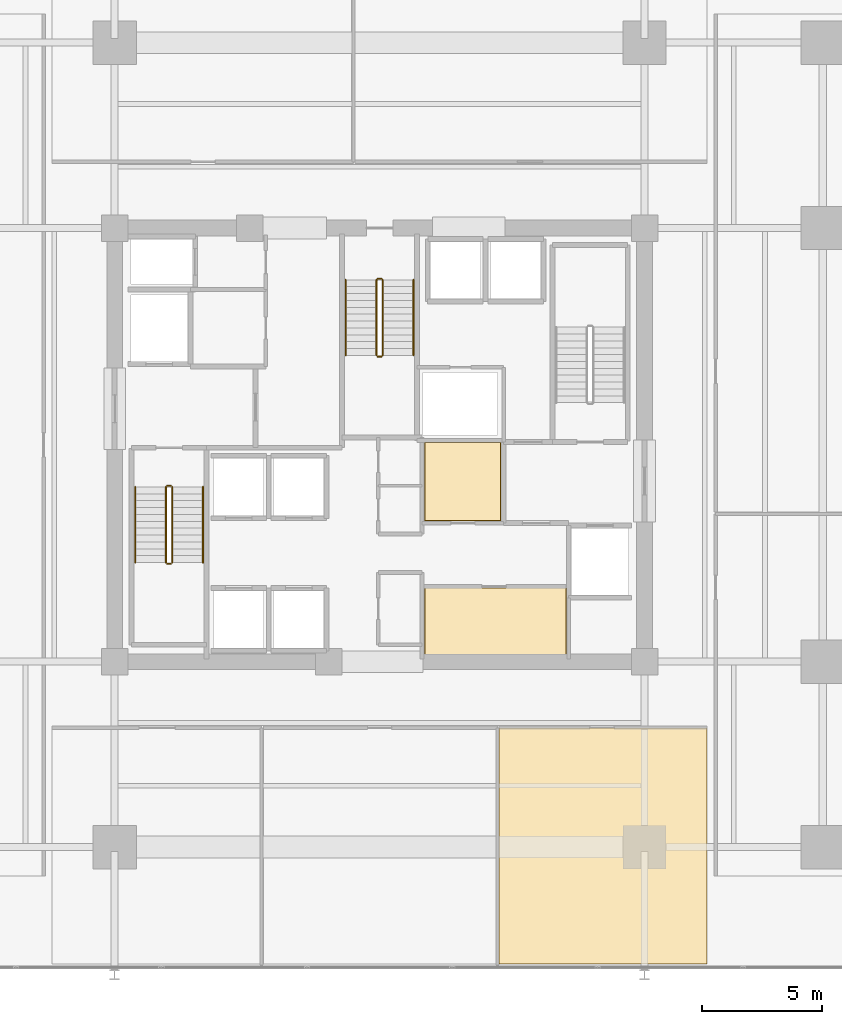
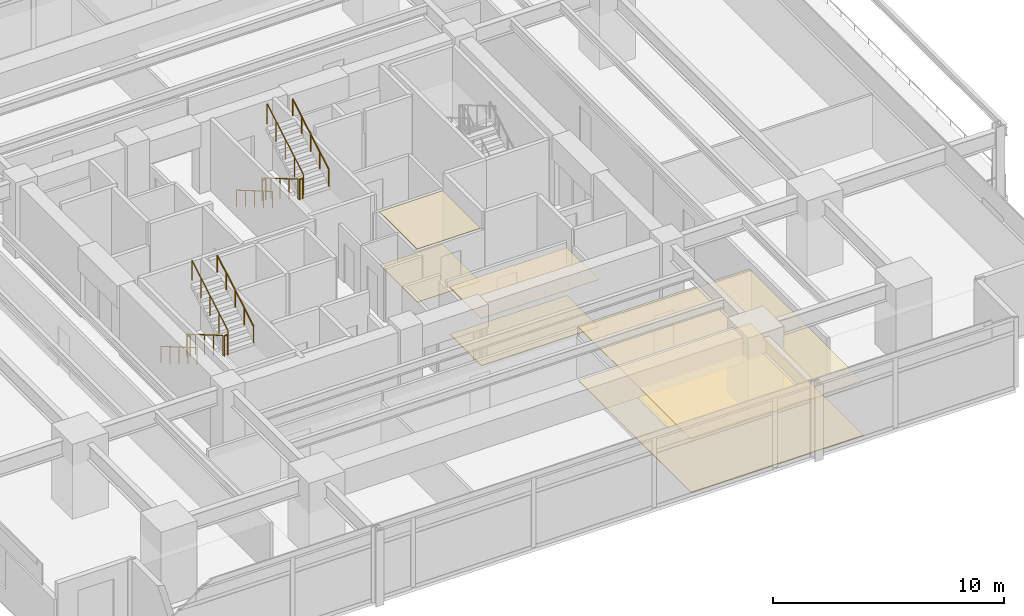
# One storey, part 19 of 21: 12 railings, 6 coverings.
"""IFC4 building model written with IfcOpenShell, lengths in metres."""

from ifc_helpers import new_model, si_unit, direction, frame, origin, origin_2d, place, context, subcontext, project, spatial, polyline, circle, outline, extrude, material, layer, layer_set, type_object, element, save


model = new_model("IFC4")

# Units and contexts
model_context = context("Model", 3, precision=1e-05, world=origin(), true_north=direction((0.0, 1.0)))
body_context = subcontext(model_context, "Body", "Model", "MODEL_VIEW")
ifc_project = project(units=[si_unit("LENGTHUNIT", "METRE"), si_unit("AREAUNIT", "SQUARE_METRE"), si_unit("VOLUMEUNIT", "CUBIC_METRE"), si_unit("PLANEANGLEUNIT", "RADIAN"), si_unit("MASSUNIT", "GRAM", prefix="KILO")], contexts=[model_context])

# Site, building, storey
site_placement = place(None, origin())
site = spatial("IfcSite", under=ifc_project, at=site_placement, CompositionType="ELEMENT")
building_placement = place(site_placement, origin())
building = spatial("IfcBuilding", under=site, at=building_placement, Name="Kovane Verandah Tower", CompositionType="ELEMENT")
storey_placement = place(building_placement, frame((0.0, 0.0, 31.60009765625)))
storey = spatial("IfcBuildingStorey", under=building, at=storey_placement, Name="L06", CompositionType="ELEMENT", Elevation=31.60009765625)

# Coverings
ifc_material_1 = material(Name="Perforated Acoustic Mineral-Fibre Ceiling Tile", Category="gypsum")
ifc_layer_1 = layer(ifc_material_1, 0.02490234375)
ifc_layer_set_1 = layer_set([ifc_layer_1], Name="Perforated Acoustic Mineral-Fibre Ceiling Tile")
covering_type_1 = type_object("IfcCoveringType", Name="CV-CEIL-25", PredefinedType="CEILING", material=ifc_layer_set_1)
covering_1_placement = place(storey_placement, frame((0.0, 0.0, 2.514892578125)))
element("IfcCovering", 1, at=covering_1_placement, inside=storey, type_object=covering_type_1, Name="L06 Records Vault Room Acoustic Ceiling", PredefinedType="CEILING", context=body_context, shape_type="SweptSolid", body=[
    extrude(outline(polyline([(41.864990234375, 18.784912109375), (47.764892578125, 18.784912109375), (47.764892578125, 21.56494140625), (41.864990234375, 21.56494140625), (41.864990234375, 18.784912109375)])), origin(), (0.0, 0.0, 1.0), 0.02490234375),
])
covering_2_placement = place(storey_placement, frame((0.0, 0.0, 2.824951171875)))
element("IfcCovering", 2, at=covering_2_placement, inside=storey, type_object=covering_type_1, Name="L06 Document Archive Room Acoustic Ceiling", PredefinedType="CEILING", context=body_context, shape_type="SweptSolid", body=[
    extrude(outline(polyline([(41.864990234375, 24.3349609375), (45.034912109375, 24.3349609375), (45.034912109375, 27.614990234375), (41.864990234375, 27.614990234375), (41.864990234375, 24.3349609375)])), origin(), (0.0, 0.0, 1.0), 0.02490234375),
])
covering_3_placement = place(storey_placement, frame((0.0, 0.0, 2.824951171875)))
element("IfcCovering", 3, at=covering_3_placement, inside=storey, type_object=covering_type_1, Name="L06 Focus Studio S3 Acoustic Ceiling", PredefinedType="CEILING", context=body_context, shape_type="SweptSolid", body=[
    extrude(outline(polyline([(44.966064453125, 5.955078125), (53.60009765625, 5.955078125), (53.60009765625, 15.75), (44.966064453125, 15.75), (44.966064453125, 5.955078125)])), origin(), (0.0, 0.0, 1.0), 0.02490234375),
])
ifc_material_2 = material(Name="Polished Terrazzo and Raised-Access Carpet Tile Finish", Category="concrete")
ifc_layer_2 = layer(ifc_material_2, 0.030029296875)
ifc_layer_set_2 = layer_set([ifc_layer_2], Name="Polished Terrazzo and Raised-Access Carpet Tile Finish")
covering_type_2 = type_object("IfcCoveringType", Name="CV-FLOR-30", PredefinedType="FLOORING", material=ifc_layer_set_2)
covering_4_placement = place(storey_placement, origin())
element("IfcCovering", 4, at=covering_4_placement, inside=storey, type_object=covering_type_2, Name="L06 Records Vault Room Floor Finish", PredefinedType="FLOORING", context=body_context, shape_type="SweptSolid", body=[
    extrude(outline(polyline([(41.8798828125, 18.800048828125), (47.75, 18.800048828125), (47.75, 21.550048828125), (41.8798828125, 21.550048828125), (41.8798828125, 18.800048828125)])), origin(), (0.0, 0.0, 1.0), 0.02978515625),
])
covering_5_placement = place(storey_placement, origin())
element("IfcCovering", 5, at=covering_5_placement, inside=storey, type_object=covering_type_2, Name="L06 Document Archive Room Floor Finish", PredefinedType="FLOORING", context=body_context, shape_type="SweptSolid", body=[
    extrude(outline(polyline([(41.8798828125, 24.35009765625), (45.02001953125, 24.35009765625), (45.02001953125, 27.60009765625), (41.8798828125, 27.60009765625), (41.8798828125, 24.35009765625)])), origin(), (0.0, 0.0, 1.0), 0.02978515625),
])
covering_6_placement = place(storey_placement, origin())
element("IfcCovering", 6, at=covering_6_placement, inside=storey, type_object=covering_type_2, Name="L06 Focus Studio S3 Floor Finish", PredefinedType="FLOORING", context=body_context, shape_type="SweptSolid", body=[
    extrude(outline(polyline([(44.966064453125, 5.955078125), (53.60009765625, 5.955078125), (53.60009765625, 15.75), (44.966064453125, 15.75), (44.966064453125, 5.955078125)])), origin(), (0.0, 0.0, 1.0), 0.02978515625),
])

# Railings
ifc_material_3 = material(Name="Brushed Stainless Steel Handrail", Category="steel")
railing_type_1 = type_object("IfcRailingType", Name="RL-HAND-920", PredefinedType="HANDRAIL", material=ifc_material_3)
railing_1_placement = place(storey_placement, frame((29.85009765625, 25.75, 0.16650390625)))
element("IfcRailing", 7, at=railing_1_placement, inside=storey, type_object=railing_type_1, Name="L06 ST-01 stair handrail 1", PredefinedType="HANDRAIL", context=body_context, shape_type="SweptSolid", body=[
    extrude(circle(Radius=0.02392578125, at=origin_2d()), frame((0.0, 0.0, 0.8759765625), z_axis=(0.0, -0.863210265497, 0.504844567704), x_axis=(1.0, 0.0, 0.0)), (0.0, 0.0, 1.0), 3.6318359375),
    extrude(circle(Radius=0.02099609375, at=origin_2d()), origin(), (0.0, 0.0, 1.0), 0.851806640625),
    extrude(circle(Radius=0.02099609375, at=origin_2d()), frame((0.0, -0.78369140625, 0.45849609375)), (0.0, 0.0, 1.0), 0.851806640625),
    extrude(circle(Radius=0.02099609375, at=origin_2d()), frame((0.0, -1.5673828125, 0.916748046875)), (0.0, 0.0, 1.0), 0.851806640625),
    extrude(circle(Radius=0.02099609375, at=origin_2d()), frame((0.0, -2.351318359375, 1.375)), (0.0, 0.0, 1.0), 0.851806640625),
    extrude(circle(Radius=0.02099609375, at=origin_2d()), frame((0.0, -3.135009765625, 1.83349609375)), (0.0, 0.0, 1.0), 0.851806640625),
])
railing_2_placement = place(storey_placement, frame((32.669921875, 22.614990234375, 2.16650390625)))
element("IfcRailing", 8, at=railing_2_placement, inside=storey, type_object=railing_type_1, Name="L06 ST-01 stair handrail 2", PredefinedType="HANDRAIL", context=body_context, shape_type="SweptSolid", body=[
    extrude(circle(Radius=0.02392578125, at=origin_2d()), frame((0.0, 0.0, 0.8759765625), z_axis=(0.0, 0.863210265497, 0.504844567704), x_axis=(-1.0, 0.0, 0.0)), (0.0, 0.0, 1.0), 3.6318359375),
    extrude(circle(Radius=0.02099609375, at=origin_2d()), origin(), (0.0, 0.0, 1.0), 0.851806640625),
    extrude(circle(Radius=0.02099609375, at=origin_2d()), frame((0.0, 0.78369140625, 0.45849609375)), (0.0, 0.0, 1.0), 0.851806640625),
    extrude(circle(Radius=0.02099609375, at=origin_2d()), frame((0.0, 1.5673828125, 0.916748046875)), (0.0, 0.0, 1.0), 0.851806640625),
    extrude(circle(Radius=0.02099609375, at=origin_2d()), frame((0.0, 2.351318359375, 1.375)), (0.0, 0.0, 1.0), 0.851806640625),
    extrude(circle(Radius=0.02099609375, at=origin_2d()), frame((0.0, 3.135009765625, 1.83349609375)), (0.0, 0.0, 1.0), 0.851806640625),
])
railing_3_placement = place(storey_placement, frame((38.590087890625, 34.35009765625, 0.16650390625)))
element("IfcRailing", 9, at=railing_3_placement, inside=storey, type_object=railing_type_1, Name="L06 ST-03 stair handrail 1", PredefinedType="HANDRAIL", context=body_context, shape_type="SweptSolid", body=[
    extrude(circle(Radius=0.02392578125, at=origin_2d()), frame((0.0, 0.0, 0.8759765625), z_axis=(0.0, -0.863210265497, 0.504844567704), x_axis=(1.0, 0.0, 0.0)), (0.0, 0.0, 1.0), 3.6318359375),
    extrude(circle(Radius=0.02099609375, at=origin_2d()), origin(), (0.0, 0.0, 1.0), 0.851806640625),
    extrude(circle(Radius=0.02099609375, at=origin_2d()), frame((0.0, -0.78369140625, 0.45849609375)), (0.0, 0.0, 1.0), 0.851806640625),
    extrude(circle(Radius=0.02099609375, at=origin_2d()), frame((0.0, -1.5673828125, 0.916748046875)), (0.0, 0.0, 1.0), 0.851806640625),
    extrude(circle(Radius=0.02099609375, at=origin_2d()), frame((0.0, -2.351318359375, 1.375)), (0.0, 0.0, 1.0), 0.851806640625),
    extrude(circle(Radius=0.02099609375, at=origin_2d()), frame((0.0, -3.135009765625, 1.83349609375)), (0.0, 0.0, 1.0), 0.851806640625),
])
railing_4_placement = place(storey_placement, frame((41.409912109375, 31.215087890625, 2.16650390625)))
element("IfcRailing", 10, at=railing_4_placement, inside=storey, type_object=railing_type_1, Name="L06 ST-03 stair handrail 2", PredefinedType="HANDRAIL", context=body_context, shape_type="SweptSolid", body=[
    extrude(circle(Radius=0.02392578125, at=origin_2d()), frame((0.0, 0.0, 0.8759765625), z_axis=(0.0, 0.863210265497, 0.504844567704), x_axis=(-1.0, 0.0, 0.0)), (0.0, 0.0, 1.0), 3.6318359375),
    extrude(circle(Radius=0.02099609375, at=origin_2d()), origin(), (0.0, 0.0, 1.0), 0.851806640625),
    extrude(circle(Radius=0.02099609375, at=origin_2d()), frame((0.0, 0.78369140625, 0.45849609375)), (0.0, 0.0, 1.0), 0.851806640625),
    extrude(circle(Radius=0.02099609375, at=origin_2d()), frame((0.0, 1.5673828125, 0.916748046875)), (0.0, 0.0, 1.0), 0.851806640625),
    extrude(circle(Radius=0.02099609375, at=origin_2d()), frame((0.0, 2.351318359375, 1.375)), (0.0, 0.0, 1.0), 0.851806640625),
    extrude(circle(Radius=0.02099609375, at=origin_2d()), frame((0.0, 3.135009765625, 1.83349609375)), (0.0, 0.0, 1.0), 0.851806640625),
])
ifc_material_4 = material(Name="Painted Steel Stairwell Guardrail", Category="steel")
railing_type_2 = type_object("IfcRailingType", Name="RL-STGUARD-1120", PredefinedType="GUARDRAIL", material=ifc_material_4)
railing_5_placement = place(storey_placement, frame((31.1298828125, 25.75, 0.16650390625)))
element("IfcRailing", 11, at=railing_5_placement, inside=storey, type_object=railing_type_2, Name="L06 ST-01 stair guard 1", PredefinedType="GUARDRAIL", context=body_context, shape_type="SweptSolid", body=[
    extrude(circle(Radius=0.02392578125, at=origin_2d()), frame((0.0, 0.0, 1.076171875), z_axis=(0.0, -0.863210265497, 0.504844567704), x_axis=(1.0, 0.0, 0.0)), (0.0, 0.0, 1.0), 3.6318359375),
    extrude(circle(Radius=0.02099609375, at=origin_2d()), origin(), (0.0, 0.0, 1.0), 1.052001953125),
    extrude(circle(Radius=0.02099609375, at=origin_2d()), frame((0.0, -0.78369140625, 0.45849609375)), (0.0, 0.0, 1.0), 1.052001953125),
    extrude(circle(Radius=0.02099609375, at=origin_2d()), frame((0.0, -1.5673828125, 0.916748046875)), (0.0, 0.0, 1.0), 1.052001953125),
    extrude(circle(Radius=0.02099609375, at=origin_2d()), frame((0.0, -2.351318359375, 1.375)), (0.0, 0.0, 1.0), 1.052001953125),
    extrude(circle(Radius=0.02099609375, at=origin_2d()), frame((0.0, -3.135009765625, 1.83349609375)), (0.0, 0.0, 1.0), 1.052001953125),
])
railing_6_placement = place(storey_placement, frame((31.179931640625, 22.56494140625, 2.0)))
element("IfcRailing", 12, at=railing_6_placement, inside=storey, type_object=railing_type_2, Name="L06 ST-01 stair guard 2", PredefinedType="GUARDRAIL", context=body_context, shape_type="SweptSolid", body=[
    extrude(circle(Radius=0.02392578125, at=origin_2d()), frame((0.0, 0.0, 1.076171875), z_axis=(1.0, 0.0, 0.0), x_axis=(0.0, 1.0, 0.0)), (0.0, 0.0, 1.0), 0.16015625),
    extrude(circle(Radius=0.02099609375, at=origin_2d()), origin(), (0.0, 0.0, 1.0), 1.052001953125),
    extrude(circle(Radius=0.02099609375, at=origin_2d()), frame((0.16015625, 0.0, 0.0)), (0.0, 0.0, 1.0), 1.052001953125),
])
railing_7_placement = place(storey_placement, frame((31.389892578125, 22.614990234375, 2.16650390625)))
element("IfcRailing", 13, at=railing_7_placement, inside=storey, type_object=railing_type_2, Name="L06 ST-01 stair guard 3", PredefinedType="GUARDRAIL", context=body_context, shape_type="SweptSolid", body=[
    extrude(circle(Radius=0.02392578125, at=origin_2d()), frame((0.0, 0.0, 1.076171875), z_axis=(0.0, 0.863210265497, 0.504844567704), x_axis=(-1.0, 0.0, 0.0)), (0.0, 0.0, 1.0), 3.6318359375),
    extrude(circle(Radius=0.02099609375, at=origin_2d()), origin(), (0.0, 0.0, 1.0), 1.052001953125),
    extrude(circle(Radius=0.02099609375, at=origin_2d()), frame((0.0, 0.78369140625, 0.45849609375)), (0.0, 0.0, 1.0), 1.052001953125),
    extrude(circle(Radius=0.02099609375, at=origin_2d()), frame((0.0, 1.5673828125, 0.916748046875)), (0.0, 0.0, 1.0), 1.052001953125),
    extrude(circle(Radius=0.02099609375, at=origin_2d()), frame((0.0, 2.351318359375, 1.375)), (0.0, 0.0, 1.0), 1.052001953125),
    extrude(circle(Radius=0.02099609375, at=origin_2d()), frame((0.0, 3.135009765625, 1.83349609375)), (0.0, 0.0, 1.0), 1.052001953125),
])
railing_8_placement = place(storey_placement, frame((31.179931640625, 25.800048828125, 0.0)))
element("IfcRailing", 14, at=railing_8_placement, inside=storey, type_object=railing_type_2, Name="L06 ST-01 stair guard 4", PredefinedType="GUARDRAIL", context=body_context, shape_type="SweptSolid", body=[
    extrude(circle(Radius=0.02392578125, at=origin_2d()), frame((0.0, 0.0, 1.076171875), z_axis=(1.0, 0.0, 0.0), x_axis=(0.0, 1.0, 0.0)), (0.0, 0.0, 1.0), 0.16015625),
    extrude(circle(Radius=0.02099609375, at=origin_2d()), origin(), (0.0, 0.0, 1.0), 1.052001953125),
    extrude(circle(Radius=0.02099609375, at=origin_2d()), frame((0.16015625, 0.0, 0.0)), (0.0, 0.0, 1.0), 1.052001953125),
])
railing_9_placement = place(storey_placement, frame((39.8701171875, 34.35009765625, 0.16650390625)))
element("IfcRailing", 15, at=railing_9_placement, inside=storey, type_object=railing_type_2, Name="L06 ST-03 stair guard 1", PredefinedType="GUARDRAIL", context=body_context, shape_type="SweptSolid", body=[
    extrude(circle(Radius=0.02392578125, at=origin_2d()), frame((0.0, 0.0, 1.076171875), z_axis=(0.0, -0.863210265497, 0.504844567704), x_axis=(1.0, 0.0, 0.0)), (0.0, 0.0, 1.0), 3.6318359375),
    extrude(circle(Radius=0.02099609375, at=origin_2d()), origin(), (0.0, 0.0, 1.0), 1.052001953125),
    extrude(circle(Radius=0.02099609375, at=origin_2d()), frame((0.0, -0.78369140625, 0.45849609375)), (0.0, 0.0, 1.0), 1.052001953125),
    extrude(circle(Radius=0.02099609375, at=origin_2d()), frame((0.0, -1.5673828125, 0.916748046875)), (0.0, 0.0, 1.0), 1.052001953125),
    extrude(circle(Radius=0.02099609375, at=origin_2d()), frame((0.0, -2.351318359375, 1.375)), (0.0, 0.0, 1.0), 1.052001953125),
    extrude(circle(Radius=0.02099609375, at=origin_2d()), frame((0.0, -3.135009765625, 1.83349609375)), (0.0, 0.0, 1.0), 1.052001953125),
])
railing_10_placement = place(storey_placement, frame((39.919921875, 31.1650390625, 2.0)))
element("IfcRailing", 16, at=railing_10_placement, inside=storey, type_object=railing_type_2, Name="L06 ST-03 stair guard 2", PredefinedType="GUARDRAIL", context=body_context, shape_type="SweptSolid", body=[
    extrude(circle(Radius=0.02392578125, at=origin_2d()), frame((0.0, 0.0, 1.076171875), z_axis=(1.0, 0.0, 0.0), x_axis=(0.0, 1.0, 0.0)), (0.0, 0.0, 1.0), 0.16015625),
    extrude(circle(Radius=0.02099609375, at=origin_2d()), origin(), (0.0, 0.0, 1.0), 1.052001953125),
    extrude(circle(Radius=0.02099609375, at=origin_2d()), frame((0.16015625, 0.0, 0.0)), (0.0, 0.0, 1.0), 1.052001953125),
])
railing_11_placement = place(storey_placement, frame((40.1298828125, 31.215087890625, 2.16650390625)))
element("IfcRailing", 17, at=railing_11_placement, inside=storey, type_object=railing_type_2, Name="L06 ST-03 stair guard 3", PredefinedType="GUARDRAIL", context=body_context, shape_type="SweptSolid", body=[
    extrude(circle(Radius=0.02392578125, at=origin_2d()), frame((0.0, 0.0, 1.076171875), z_axis=(0.0, 0.863210265497, 0.504844567704), x_axis=(-1.0, 0.0, 0.0)), (0.0, 0.0, 1.0), 3.6318359375),
    extrude(circle(Radius=0.02099609375, at=origin_2d()), origin(), (0.0, 0.0, 1.0), 1.052001953125),
    extrude(circle(Radius=0.02099609375, at=origin_2d()), frame((0.0, 0.78369140625, 0.45849609375)), (0.0, 0.0, 1.0), 1.052001953125),
    extrude(circle(Radius=0.02099609375, at=origin_2d()), frame((0.0, 1.5673828125, 0.916748046875)), (0.0, 0.0, 1.0), 1.052001953125),
    extrude(circle(Radius=0.02099609375, at=origin_2d()), frame((0.0, 2.351318359375, 1.375)), (0.0, 0.0, 1.0), 1.052001953125),
    extrude(circle(Radius=0.02099609375, at=origin_2d()), frame((0.0, 3.135009765625, 1.83349609375)), (0.0, 0.0, 1.0), 1.052001953125),
])
railing_12_placement = place(storey_placement, frame((39.919921875, 34.39990234375, 0.0)))
element("IfcRailing", 18, at=railing_12_placement, inside=storey, type_object=railing_type_2, Name="L06 ST-03 stair guard 4", PredefinedType="GUARDRAIL", context=body_context, shape_type="SweptSolid", body=[
    extrude(circle(Radius=0.02392578125, at=origin_2d()), frame((0.0, 0.0, 1.076171875), z_axis=(1.0, 0.0, 0.0), x_axis=(0.0, 1.0, 0.0)), (0.0, 0.0, 1.0), 0.16015625),
    extrude(circle(Radius=0.02099609375, at=origin_2d()), origin(), (0.0, 0.0, 1.0), 1.052001953125),
    extrude(circle(Radius=0.02099609375, at=origin_2d()), frame((0.16015625, 0.0, 0.0)), (0.0, 0.0, 1.0), 1.052001953125),
])

save(model, "model.ifc")
